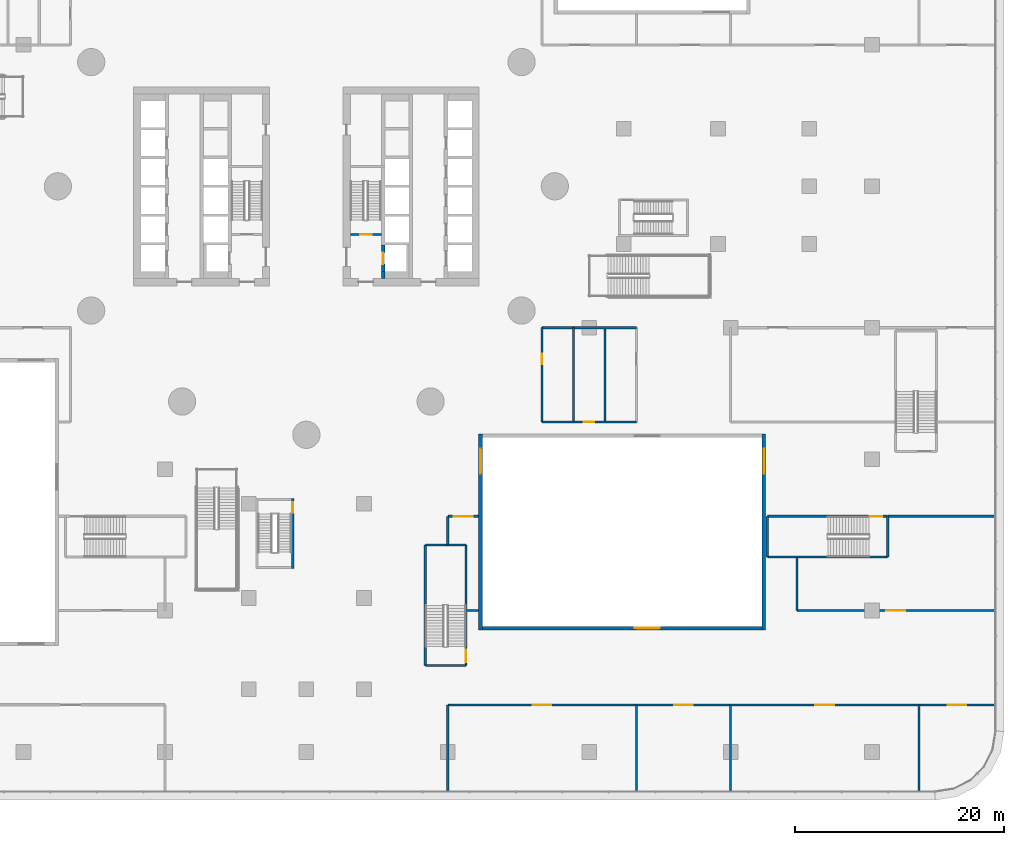
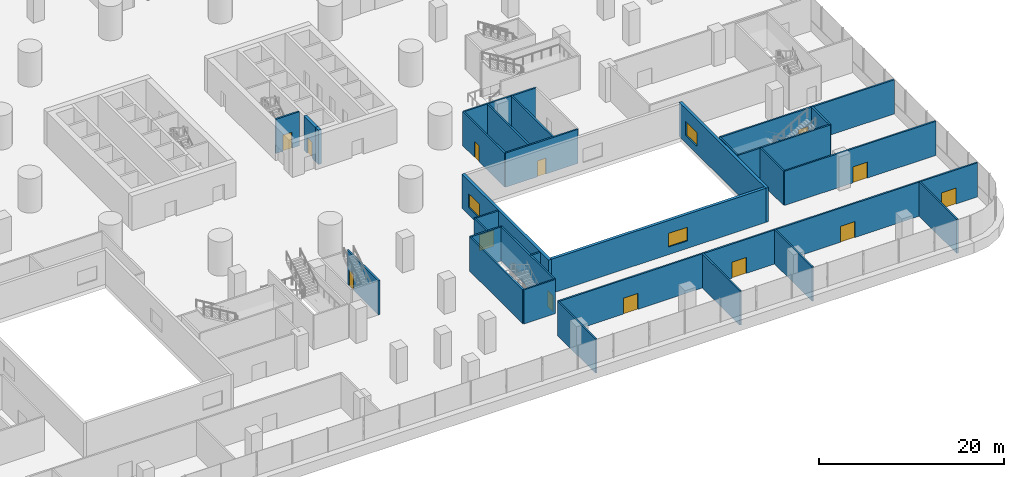
# One storey, part 26 of 44: 31 walls, 13 doors, 3 windows, 16 openings.
"""IFC4 building model written with IfcOpenShell, lengths in metres."""

from ifc_helpers import new_model, si_unit, direction, frame, frame_2d, origin, place, context, subcontext, project, spatial, rectangle, extrude, material, layer, layer_set, type_object, element, fill, save


model = new_model("IFC4")

# Units and contexts
model_context = context("Model", 3, precision=1e-05, world=origin(), true_north=direction((0.0, 1.0)))
body_context = subcontext(model_context, "Body", "Model", "MODEL_VIEW")
ifc_project = project(units=[si_unit("LENGTHUNIT", "METRE"), si_unit("AREAUNIT", "SQUARE_METRE"), si_unit("VOLUMEUNIT", "CUBIC_METRE"), si_unit("PLANEANGLEUNIT", "RADIAN"), si_unit("MASSUNIT", "GRAM", prefix="KILO")], contexts=[model_context])

# Site, building, storey
site_placement = place(None, origin())
site = spatial("IfcSite", under=ifc_project, at=site_placement, CompositionType="ELEMENT")
building_placement = place(site_placement, origin())
building = spatial("IfcBuilding", under=site, at=building_placement, Name="Tamarind Cross Interchange Tower", CompositionType="ELEMENT")
storey_placement = place(building_placement, frame((0.0, 0.0, 15.0)))
storey = spatial("IfcBuildingStorey", under=building, at=storey_placement, Name="L02", CompositionType="ELEMENT", Elevation=15.0)

# Wall
ifc_material_1 = material(Name="Concrete C80", Category="concrete")
ifc_layer_1 = layer(ifc_material_1, 0.35009765625)
ifc_layer_set_1 = layer_set([ifc_layer_1], Name="Concrete C80")
wall_type_1 = type_object("IfcWallType", Name="Core web wall 350 mm Concrete C80", PredefinedType="SHEAR", material=ifc_layer_set_1)
wall_1_placement = place(storey_placement, frame((7.324951171875, -8.800048828125, 0.0), z_axis=(0.0, 0.0, 1.0), x_axis=(0.0, 1.0, 0.0)))
element("IfcWall", 1, at=wall_1_placement, inside=storey, type_object=wall_type_1, Name="Core wall CWL-L02-E-BW", PredefinedType="SHEAR", context=body_context, shape_type="SweptSolid", body=[
    extrude(rectangle(XDim=0.675048828125, YDim=0.35009765625, at=frame_2d((0.33740234375, 0.0))), origin(), (0.0, 0.0, 1.0), 4.5),
])

# Wall, opening, door
wall_2_placement = place(storey_placement, frame((7.324951171875, -8.125, 0.0), z_axis=(0.0, 0.0, 1.0), x_axis=(0.0, 1.0, 0.0)))
wall_2 = element("IfcWall", 2, at=wall_2_placement, inside=storey, type_object=wall_type_1, Name="Core wall CWL-L02-E-FF", PredefinedType="SHEAR", context=body_context, shape_type="SweptSolid", body=[
    extrude(rectangle(XDim=2.5, YDim=0.35009765625, at=frame_2d((1.25, 0.0))), origin(), (0.0, 0.0, 1.0), 4.5),
])
opening_1_placement = place(wall_2_placement, frame((0.699951171875, 0.0, 0.0)))
opening_1 = element("IfcOpeningElement", 3, at=opening_1_placement, cuts=wall_2, Name="Opening LD19L02", PredefinedType="OPENING", context=body_context, shape_type="SweptSolid", body=[
    extrude(rectangle(XDim=1.10009765625, YDim=2.10009765625, at=frame_2d((0.550048828125, 1.050048828125))), frame((0.0, 0.18505859375, 0.0), z_axis=(0.0, -1.0, 0.0), x_axis=(1.0, 0.0, 0.0)), (0.0, 0.0, 1.0), 0.3701171875),
])
ifc_material_2 = material(Name="Stainless steel panel", Category="steel")
door_type_1 = type_object("IfcDoorType", Name="Lift landing door 1100 x 2100 E 120", OperationType="SLIDING_TO_LEFT", PredefinedType="DOOR", material=ifc_material_2)
door_1_placement = place(opening_1_placement, origin())
door_1 = element("IfcDoor", 4, at=door_1_placement, inside=storey, type_object=door_type_1, Name="L02 landing door LF19", OperationType="SLIDING_TO_LEFT", OverallHeight=2.10009765625, OverallWidth=1.10009765625, PredefinedType="DOOR", context=body_context, shape_type="SweptSolid", body=[
    extrude(rectangle(XDim=1.10009765625, YDim=2.10009765625, at=frame_2d((0.550048828125, 1.050048828125))), frame((0.0, 0.02490234375, 0.0), z_axis=(0.0, -1.0, 0.0), x_axis=(1.0, 0.0, 0.0)), (0.0, 0.0, 1.0), 0.050048828125),
])
fill(opening_1, door_1)

# Wall
ifc_material_3 = material(Name="Masonry partition, fire-rated", Category="masonry")
ifc_layer_2 = layer(ifc_material_3, 0.199951171875)
ifc_layer_set_2 = layer_set([ifc_layer_2], Name="Masonry partition, fire-rated")
wall_type_2 = type_object("IfcWallType", Name="Fire partition 200 EI 120", PredefinedType="PARTITIONING", material=ifc_layer_set_2)
wall_3_placement = place(storey_placement, frame((13.5, -57.698974609375, 0.0), z_axis=(0.0, 0.0, 1.0), x_axis=(0.0, 1.0, 0.0)))
element("IfcWall", 5, at=wall_3_placement, inside=storey, type_object=wall_type_2, Name="L02 partition 87", PredefinedType="PARTITIONING", context=body_context, shape_type="SweptSolid", body=[
    extrude(rectangle(XDim=8.198974609375, YDim=0.199951171875, at=frame_2d((4.099609375, 0.0))), origin(), (0.0, 0.0, 1.0), 4.5),
])

# Wall, openings, doors
wall_4_placement = place(storey_placement, frame((13.5, -49.5, 0.0), z_axis=(0.0, 0.0, 1.0), x_axis=(1.0, 0.0, 0.0)))
wall_4 = element("IfcWall", 6, at=wall_4_placement, inside=storey, type_object=wall_type_2, Name="L02 partition 88", PredefinedType="PARTITIONING", context=body_context, shape_type="SweptSolid", body=[
    extrude(rectangle(XDim=52.198974609375, YDim=0.199951171875, at=frame_2d((26.099609375, 0.0))), origin(), (0.0, 0.0, 1.0), 4.5),
])
opening_2_placement = place(wall_4_placement, frame((8.10009765625, 0.0, 0.0)))
opening_2 = element("IfcOpeningElement", 7, at=opening_2_placement, cuts=wall_4, Name="Opening DL02-46", PredefinedType="OPENING", context=body_context, shape_type="SweptSolid", body=[
    extrude(rectangle(XDim=1.800048828125, YDim=2.10009765625, at=frame_2d((0.89990234375, 1.050048828125))), frame((0.0, 0.10986328125, 0.0), z_axis=(0.0, -1.0, 0.0), x_axis=(1.0, 0.0, 0.0)), (0.0, 0.0, 1.0), 0.219970703125),
])
opening_3_placement = place(wall_4_placement, frame((21.60009765625, 0.0, 0.0)))
opening_3 = element("IfcOpeningElement", 8, at=opening_3_placement, cuts=wall_4, Name="Opening DL02-47", PredefinedType="OPENING", context=body_context, shape_type="SweptSolid", body=[
    extrude(rectangle(XDim=1.800048828125, YDim=2.10009765625, at=frame_2d((0.89990234375, 1.050048828125))), frame((0.0, 0.10986328125, 0.0), z_axis=(0.0, -1.0, 0.0), x_axis=(1.0, 0.0, 0.0)), (0.0, 0.0, 1.0), 0.219970703125),
])
opening_4_placement = place(wall_4_placement, frame((35.10009765625, 0.0, 0.0)))
opening_4 = element("IfcOpeningElement", 9, at=opening_4_placement, cuts=wall_4, Name="Opening DL02-48", PredefinedType="OPENING", context=body_context, shape_type="SweptSolid", body=[
    extrude(rectangle(XDim=1.800048828125, YDim=2.10009765625, at=frame_2d((0.89990234375, 1.050048828125))), frame((0.0, 0.10986328125, 0.0), z_axis=(0.0, -1.0, 0.0), x_axis=(1.0, 0.0, 0.0)), (0.0, 0.0, 1.0), 0.219970703125),
])
opening_5_placement = place(wall_4_placement, frame((47.7099609375, 0.0, 0.0)))
opening_5 = element("IfcOpeningElement", 10, at=opening_5_placement, cuts=wall_4, Name="Opening DL02-49", PredefinedType="OPENING", context=body_context, shape_type="SweptSolid", body=[
    extrude(rectangle(XDim=1.800048828125, YDim=2.10009765625, at=frame_2d((0.89990234375, 1.050048828125))), frame((0.0, 0.10986328125, 0.0), z_axis=(0.0, -1.0, 0.0), x_axis=(1.0, 0.0, 0.0)), (0.0, 0.0, 1.0), 0.219970703125),
])
ifc_material_4 = material(Name="Steel, fire-resisting", Category="steel")
door_type_2 = type_object("IfcDoorType", Name="Podium door 1800 x 2100 FD60", OperationType="SINGLE_SWING_LEFT", PredefinedType="DOOR", material=ifc_material_4)
door_2_placement = place(opening_2_placement, origin())
door_2 = element("IfcDoor", 11, at=door_2_placement, inside=storey, type_object=door_type_2, Name="L02 door Dessert Cafe 0229", OperationType="SINGLE_SWING_RIGHT", OverallHeight=2.10009765625, OverallWidth=1.800048828125, PredefinedType="DOOR", context=body_context, shape_type="SweptSolid", body=[
    extrude(rectangle(XDim=1.800048828125, YDim=2.10009765625, at=frame_2d((0.89990234375, 1.050048828125))), frame((0.0, 0.02490234375, 0.0), z_axis=(0.0, -1.0, 0.0), x_axis=(1.0, 0.0, 0.0)), (0.0, 0.0, 1.0), 0.050048828125),
])
fill(opening_2, door_2)
door_3_placement = place(opening_3_placement, origin())
door_3 = element("IfcDoor", 12, at=door_3_placement, inside=storey, type_object=door_type_2, Name="L02 door Grill Restaurant 0230", OperationType="SINGLE_SWING_LEFT", OverallHeight=2.10009765625, OverallWidth=1.800048828125, PredefinedType="DOOR", context=body_context, shape_type="SweptSolid", body=[
    extrude(rectangle(XDim=1.800048828125, YDim=2.10009765625, at=frame_2d((0.89990234375, 1.050048828125))), frame((0.0, 0.02490234375, 0.0), z_axis=(0.0, -1.0, 0.0), x_axis=(1.0, 0.0, 0.0)), (0.0, 0.0, 1.0), 0.050048828125),
])
fill(opening_3, door_3)
door_4_placement = place(opening_5_placement, origin())
door_4 = element("IfcDoor", 13, at=door_4_placement, inside=storey, type_object=door_type_2, Name="L02 door Noodle Bar 0232", OperationType="SINGLE_SWING_LEFT", OverallHeight=2.10009765625, OverallWidth=1.800048828125, PredefinedType="DOOR", context=body_context, shape_type="SweptSolid", body=[
    extrude(rectangle(XDim=1.800048828125, YDim=2.10009765625, at=frame_2d((0.89990234375, 1.050048828125))), frame((0.0, 0.02490234375, 0.0), z_axis=(0.0, -1.0, 0.0), x_axis=(1.0, 0.0, 0.0)), (0.0, 0.0, 1.0), 0.050048828125),
])
fill(opening_5, door_4)
door_type_3 = type_object("IfcDoorType", Name="Podium door 1800 x 2100 FD90", OperationType="SINGLE_SWING_LEFT", PredefinedType="DOOR", material=ifc_material_4)
door_5_placement = place(opening_4_placement, origin())
door_5 = element("IfcDoor", 14, at=door_5_placement, inside=storey, type_object=door_type_3, Name="L02 door Food Hall Kitchen 0231", OperationType="SINGLE_SWING_RIGHT", OverallHeight=2.10009765625, OverallWidth=1.800048828125, PredefinedType="DOOR", context=body_context, shape_type="SweptSolid", body=[
    extrude(rectangle(XDim=1.800048828125, YDim=2.10009765625, at=frame_2d((0.89990234375, 1.050048828125))), frame((0.0, 0.02490234375, 0.0), z_axis=(0.0, -1.0, 0.0), x_axis=(1.0, 0.0, 0.0)), (0.0, 0.0, 1.0), 0.050048828125),
])
fill(opening_4, door_5)

# Wall
wall_5_placement = place(storey_placement, frame((13.5, -34.219970703125, 0.0), z_axis=(0.0, 0.0, 1.0), x_axis=(0.0, 1.0, 0.0)))
element("IfcWall", 15, at=wall_5_placement, inside=storey, type_object=wall_type_2, Name="L02 partition 89", PredefinedType="PARTITIONING", context=body_context, shape_type="SweptSolid", body=[
    extrude(rectangle(XDim=2.719970703125, YDim=0.199951171875, at=frame_2d((1.35986328125, 0.0))), origin(), (0.0, 0.0, 1.0), 4.5),
])

# Wall, opening, door
wall_6_placement = place(storey_placement, frame((13.5, -31.5, 0.0), z_axis=(0.0, 0.0, 1.0), x_axis=(1.0, 0.0, 0.0)))
wall_6 = element("IfcWall", 16, at=wall_6_placement, inside=storey, type_object=wall_type_2, Name="L02 partition 90", PredefinedType="PARTITIONING", context=body_context, shape_type="SweptSolid", body=[
    extrude(rectangle(XDim=2.919921875, YDim=0.199951171875, at=frame_2d((1.4599609375, 0.0))), origin(), (0.0, 0.0, 1.0), 4.5),
])
opening_6_placement = place(wall_6_placement, frame((0.574951171875, 0.0, 0.0)))
opening_6 = element("IfcOpeningElement", 17, at=opening_6_placement, cuts=wall_6, Name="Opening DL02-45", PredefinedType="OPENING", context=body_context, shape_type="SweptSolid", body=[
    extrude(rectangle(XDim=1.800048828125, YDim=2.10009765625, at=frame_2d((0.89990234375, 1.050048828125))), frame((0.0, 0.10986328125, 0.0), z_axis=(0.0, -1.0, 0.0), x_axis=(1.0, 0.0, 0.0)), (0.0, 0.0, 1.0), 0.219970703125),
])
door_6_placement = place(opening_6_placement, origin())
door_6 = element("IfcDoor", 18, at=door_6_placement, inside=storey, type_object=door_type_3, Name="L02 door Food Hall Kitchen 0227", OperationType="SINGLE_SWING_LEFT", OverallHeight=2.10009765625, OverallWidth=1.800048828125, PredefinedType="DOOR", context=body_context, shape_type="SweptSolid", body=[
    extrude(rectangle(XDim=1.800048828125, YDim=2.10009765625, at=frame_2d((0.89990234375, 1.050048828125))), frame((0.0, 0.02490234375, 0.0), z_axis=(0.0, -1.0, 0.0), x_axis=(1.0, 0.0, 0.0)), (0.0, 0.0, 1.0), 0.050048828125),
])
fill(opening_6, door_6)

# Walls
wall_7_placement = place(storey_placement, frame((15.280029296875, -40.5, 0.0), z_axis=(0.0, 0.0, 1.0), x_axis=(1.0, 0.0, 0.0)))
element("IfcWall", 19, at=wall_7_placement, inside=storey, type_object=wall_type_2, Name="L02 partition 92", PredefinedType="PARTITIONING", context=body_context, shape_type="SweptSolid", body=[
    extrude(rectangle(XDim=1.139892578125, YDim=0.199951171875, at=frame_2d((0.56982421875, 0.0))), origin(), (0.0, 0.0, 1.0), 4.5),
])
for number, where, z_axis, x_axis, name in (
    (20, (31.5, -57.698974609375, 0.0), (0.0, 0.0, 1.0), (0.0, 1.0, 0.0), "L02 partition 104"),
    (21, (40.5, -57.698974609375, 0.0), (0.0, 0.0, 1.0), (0.0, 1.0, 0.0), "L02 partition 106"),
):
    element("IfcWall", number, at=place(storey_placement, frame(where, z_axis=z_axis, x_axis=x_axis)), inside=storey, type_object=wall_type_2, Name=name, PredefinedType="PARTITIONING", context=body_context, shape_type="SweptSolid", body=[
        extrude(rectangle(XDim=8.198974609375, YDim=0.199951171875, at=frame_2d((4.099609375, 0.0))), origin(), (0.0, 0.0, 1.0), 4.5),
    ])

# Wall, opening, door
wall_8_placement = place(storey_placement, frame((46.85009765625, -40.5, 0.0), z_axis=(0.0, 0.0, 1.0), x_axis=(1.0, 0.0, 0.0)))
wall_8 = element("IfcWall", 22, at=wall_8_placement, inside=storey, type_object=wall_type_2, Name="L02 partition 110", PredefinedType="PARTITIONING", context=body_context, shape_type="SweptSolid", body=[
    extrude(rectangle(XDim=18.848876953125, YDim=0.199951171875, at=frame_2d((9.42431640625, 0.0))), origin(), (0.0, 0.0, 1.0), 4.5),
])
opening_7_placement = place(wall_8_placement, frame((8.52490234375, 0.0, 0.0)))
opening_7 = element("IfcOpeningElement", 23, at=opening_7_placement, cuts=wall_8, Name="Opening DL02-50", PredefinedType="OPENING", context=body_context, shape_type="SweptSolid", body=[
    extrude(rectangle(XDim=1.800048828125, YDim=2.10009765625, at=frame_2d((0.89990234375, 1.050048828125))), frame((0.0, 0.10986328125, 0.0), z_axis=(0.0, -1.0, 0.0), x_axis=(1.0, 0.0, 0.0)), (0.0, 0.0, 1.0), 0.219970703125),
])
door_7_placement = place(opening_7_placement, origin())
door_7 = element("IfcDoor", 24, at=door_7_placement, inside=storey, type_object=door_type_2, Name="L02 door Dessert Cafe 0228", OperationType="SINGLE_SWING_RIGHT", OverallHeight=2.10009765625, OverallWidth=1.800048828125, PredefinedType="DOOR", context=body_context, shape_type="SweptSolid", body=[
    extrude(rectangle(XDim=1.800048828125, YDim=2.10009765625, at=frame_2d((0.89990234375, 1.050048828125))), frame((0.0, 0.02490234375, 0.0), z_axis=(0.0, -1.0, 0.0), x_axis=(1.0, 0.0, 0.0)), (0.0, 0.0, 1.0), 0.050048828125),
])
fill(opening_7, door_7)

# Walls
wall_9_placement = place(storey_placement, frame((46.85009765625, -40.5, 0.0), z_axis=(0.0, 0.0, 1.0), x_axis=(0.0, 1.0, 0.0)))
element("IfcWall", 25, at=wall_9_placement, inside=storey, type_object=wall_type_2, Name="L02 partition 111", PredefinedType="PARTITIONING", context=body_context, shape_type="SweptSolid", body=[
    extrude(rectangle(XDim=5.070068359375, YDim=0.199951171875, at=frame_2d((2.53515625, 0.0))), origin(), (0.0, 0.0, 1.0), 4.5),
])
wall_10_placement = place(storey_placement, frame((55.530029296875, -31.5, 0.0), z_axis=(0.0, 0.0, 1.0), x_axis=(1.0, 0.0, 0.0)))
element("IfcWall", 26, at=wall_10_placement, inside=storey, type_object=wall_type_2, Name="L02 partition 112", PredefinedType="PARTITIONING", context=body_context, shape_type="SweptSolid", body=[
    extrude(rectangle(XDim=10.1689453125, YDim=0.199951171875, at=frame_2d((5.08447265625, 0.0))), origin(), (0.0, 0.0, 1.0), 4.5),
])
wall_11_placement = place(storey_placement, frame((58.5, -57.698974609375, 0.0), z_axis=(0.0, 0.0, 1.0), x_axis=(0.0, 1.0, 0.0)))
element("IfcWall", 27, at=wall_11_placement, inside=storey, type_object=wall_type_2, Name="L02 partition 116", PredefinedType="PARTITIONING", context=body_context, shape_type="SweptSolid", body=[
    extrude(rectangle(XDim=8.198974609375, YDim=0.199951171875, at=frame_2d((4.099609375, 0.0))), origin(), (0.0, 0.0, 1.0), 4.5),
])

# Wall, opening, door
ifc_layer_3 = layer(ifc_material_3, 0.199951171875)
ifc_layer_set_3 = layer_set([ifc_layer_3], Name="Masonry partition, fire-rated")
wall_type_3 = type_object("IfcWallType", Name="Fire partition 200 EI 90", PredefinedType="PARTITIONING", material=ifc_layer_set_3)
wall_12_placement = place(storey_placement, frame((22.5, -22.5, 0.0), z_axis=(0.0, 0.0, 1.0), x_axis=(1.0, 0.0, 0.0)))
wall_12 = element("IfcWall", 28, at=wall_12_placement, inside=storey, type_object=wall_type_3, Name="L02 partition 98", PredefinedType="PARTITIONING", context=body_context, shape_type="SweptSolid", body=[
    extrude(rectangle(XDim=9.0, YDim=0.199951171875, at=frame_2d((4.5, 0.0))), origin(), (0.0, 0.0, 1.0), 4.5),
])
opening_8_placement = place(wall_12_placement, frame((3.989990234375, 0.0, 0.0)))
opening_8 = element("IfcOpeningElement", 29, at=opening_8_placement, cuts=wall_12, Name="Opening DL02-41", PredefinedType="OPENING", context=body_context, shape_type="SweptSolid", body=[
    extrude(rectangle(XDim=1.0, YDim=2.10009765625, at=frame_2d((0.5, 1.050048828125))), frame((0.0, 0.10986328125, 0.0), z_axis=(0.0, -1.0, 0.0), x_axis=(1.0, 0.0, 0.0)), (0.0, 0.0, 1.0), 0.219970703125),
])
door_type_4 = type_object("IfcDoorType", Name="Podium door 1000 x 2100 FD60", OperationType="SINGLE_SWING_LEFT", PredefinedType="DOOR", material=ifc_material_4)
door_8_placement = place(opening_8_placement, origin())
door_8 = element("IfcDoor", 30, at=door_8_placement, inside=storey, type_object=door_type_4, Name="L02 door Men's Toilets L02SE", OperationType="SINGLE_SWING_LEFT", OverallHeight=2.10009765625, OverallWidth=1.0, PredefinedType="DOOR", context=body_context, shape_type="SweptSolid", body=[
    extrude(rectangle(XDim=1.0, YDim=2.10009765625, at=frame_2d((0.5, 1.050048828125))), frame((0.0, 0.02490234375, 0.0), z_axis=(0.0, -1.0, 0.0), x_axis=(1.0, 0.0, 0.0)), (0.0, 0.0, 1.0), 0.050048828125),
])
fill(opening_8, door_8)

# Wall
wall_13_placement = place(storey_placement, frame((25.5, -22.5, 0.0), z_axis=(0.0, 0.0, 1.0), x_axis=(0.0, 1.0, 0.0)))
element("IfcWall", 31, at=wall_13_placement, inside=storey, type_object=wall_type_3, Name="L02 partition 99", PredefinedType="PARTITIONING", context=body_context, shape_type="SweptSolid", body=[
    extrude(rectangle(XDim=9.0, YDim=0.199951171875, at=frame_2d((4.5, 0.0))), origin(), (0.0, 0.0, 1.0), 4.5),
])

# Wall, opening, door
wall_14_placement = place(storey_placement, frame((22.5, -22.5, 0.0), z_axis=(0.0, 0.0, 1.0), x_axis=(0.0, 1.0, 0.0)))
wall_14 = element("IfcWall", 32, at=wall_14_placement, inside=storey, type_object=wall_type_3, Name="L02 partition 100", PredefinedType="PARTITIONING", context=body_context, shape_type="SweptSolid", body=[
    extrude(rectangle(XDim=9.0, YDim=0.199951171875, at=frame_2d((4.5, 0.0))), origin(), (0.0, 0.0, 1.0), 4.5),
])
opening_9_placement = place(wall_14_placement, frame((5.5, 0.0, 0.0)))
opening_9 = element("IfcOpeningElement", 33, at=opening_9_placement, cuts=wall_14, Name="Opening DL02-40", PredefinedType="OPENING", context=body_context, shape_type="SweptSolid", body=[
    extrude(rectangle(XDim=1.0, YDim=2.10009765625, at=frame_2d((0.5, 1.050048828125))), frame((0.0, 0.10986328125, 0.0), z_axis=(0.0, -1.0, 0.0), x_axis=(1.0, 0.0, 0.0)), (0.0, 0.0, 1.0), 0.219970703125),
])
door_9_placement = place(opening_9_placement, origin())
door_9 = element("IfcDoor", 34, at=door_9_placement, inside=storey, type_object=door_type_4, Name="L02 door Women's Toilets L02SE", OperationType="SINGLE_SWING_RIGHT", OverallHeight=2.10009765625, OverallWidth=1.0, PredefinedType="DOOR", context=body_context, shape_type="SweptSolid", body=[
    extrude(rectangle(XDim=1.0, YDim=2.10009765625, at=frame_2d((0.5, 1.050048828125))), frame((0.0, 0.02490234375, 0.0), z_axis=(0.0, -1.0, 0.0), x_axis=(1.0, 0.0, 0.0)), (0.0, 0.0, 1.0), 0.050048828125),
])
fill(opening_9, door_9)

# Walls
for number, where, z_axis, x_axis, name in (
    (35, (22.5, -13.5, 0.0), (0.0, 0.0, 1.0), (1.0, 0.0, 0.0), "L02 partition 101"),
    (36, (28.5, -22.5, 0.0), (0.0, 0.0, 1.0), (0.0, 1.0, 0.0), "L02 partition 103"),
):
    element("IfcWall", number, at=place(storey_placement, frame(where, z_axis=z_axis, x_axis=x_axis)), inside=storey, type_object=wall_type_3, Name=name, PredefinedType="PARTITIONING", context=body_context, shape_type="SweptSolid", body=[
        extrude(rectangle(XDim=9.0, YDim=0.199951171875, at=frame_2d((4.5, 0.0))), origin(), (0.0, 0.0, 1.0), 4.5),
    ])

# Wall, opening, window
ifc_material_5 = material(Name="Precast concrete C40", Category="concrete")
ifc_layer_4 = layer(ifc_material_5, 0.35009765625)
ifc_layer_set_4 = layer_set([ifc_layer_4], Name="Precast concrete C40")
wall_type_4 = type_object("IfcWallType", Name="Podium facade wall", PredefinedType="SOLIDWALL", material=ifc_layer_set_4)
wall_15_placement = place(storey_placement, frame((16.800048828125, -42.175048828125, 0.0), z_axis=(0.0, 0.0, 1.0), x_axis=(1.0, 0.0, 0.0)))
wall_15 = element("IfcWall", 37, at=wall_15_placement, inside=storey, type_object=wall_type_4, Name="CTW-L02-SES00", PredefinedType="SOLIDWALL", context=body_context, shape_type="SweptSolid", body=[
    extrude(rectangle(XDim=26.699951171875, YDim=0.35009765625, at=frame_2d((13.35009765625, 0.0))), origin(), (0.0, 0.0, 1.0), 4.5),
])
opening_10_placement = place(wall_15_placement, frame((14.550048828125, 0.0, 1.0)))
opening_10 = element("IfcOpeningElement", 38, at=opening_10_placement, cuts=wall_15, Name="Opening W4", PredefinedType="OPENING", context=body_context, shape_type="SweptSolid", body=[
    extrude(rectangle(XDim=2.39990234375, YDim=1.800048828125, at=frame_2d((1.199951171875, 0.89990234375))), frame((0.0, 0.18505859375, 0.0), z_axis=(0.0, -1.0, 0.0), x_axis=(1.0, 0.0, 0.0)), (0.0, 0.0, 1.0), 0.3701171875),
])
ifc_material_6 = material(Name="Aluminium and toughened glass", Category="aluminium")
window_type = type_object("IfcWindowType", Name="Podium daylight window", PartitioningType="SINGLE_PANEL", PredefinedType="WINDOW", material=ifc_material_6)
window_1_placement = place(opening_10_placement, origin())
window_1 = element("IfcWindow", 39, at=window_1_placement, inside=storey, type_object=window_type, Name="CTX-L02-SES-01-00", OverallHeight=1.800048828125, OverallWidth=2.39990234375, PartitioningType="SINGLE_PANEL", PredefinedType="WINDOW", context=body_context, shape_type="SweptSolid", body=[
    extrude(rectangle(XDim=2.39990234375, YDim=1.800048828125, at=frame_2d((1.199951171875, 0.89990234375))), frame((0.0, 0.030029296875, 0.0), z_axis=(0.0, -1.0, 0.0), x_axis=(1.0, 0.0, 0.0)), (0.0, 0.0, 1.0), 0.06005859375),
])
fill(opening_10, window_1)

wall_16_placement = place(storey_placement, frame((16.625, -42.35009765625, 0.0), z_axis=(0.0, 0.0, 1.0), x_axis=(0.0, 1.0, 0.0)))
wall_16 = element("IfcWall", 40, at=wall_16_placement, inside=storey, type_object=wall_type_4, Name="CTW-L02-SEW00", PredefinedType="SOLIDWALL", context=body_context, shape_type="SweptSolid", body=[
    extrude(rectangle(XDim=18.7001953125, YDim=0.35009765625, at=frame_2d((9.35009765625, 0.0))), origin(), (0.0, 0.0, 1.0), 4.5),
])
opening_11_placement = place(wall_16_placement, frame((14.89990234375, 0.0, 1.0)))
opening_11 = element("IfcOpeningElement", 41, at=opening_11_placement, cuts=wall_16, Name="Opening W4", PredefinedType="OPENING", context=body_context, shape_type="SweptSolid", body=[
    extrude(rectangle(XDim=2.39990234375, YDim=1.800048828125, at=frame_2d((1.199951171875, 0.89990234375))), frame((0.0, 0.18505859375, 0.0), z_axis=(0.0, -1.0, 0.0), x_axis=(1.0, 0.0, 0.0)), (0.0, 0.0, 1.0), 0.3701171875),
])
window_2_placement = place(opening_11_placement, origin())
window_2 = element("IfcWindow", 42, at=window_2_placement, inside=storey, type_object=window_type, Name="CTX-L02-SEW-01-00", OverallHeight=1.800048828125, OverallWidth=2.39990234375, PartitioningType="SINGLE_PANEL", PredefinedType="WINDOW", context=body_context, shape_type="SweptSolid", body=[
    extrude(rectangle(XDim=2.39990234375, YDim=1.800048828125, at=frame_2d((1.199951171875, 0.89990234375))), frame((0.0, 0.030029296875, 0.0), z_axis=(0.0, -1.0, 0.0), x_axis=(1.0, 0.0, 0.0)), (0.0, 0.0, 1.0), 0.06005859375),
])
fill(opening_11, window_2)

wall_17_placement = place(storey_placement, frame((43.675048828125, -42.35009765625, 0.0), z_axis=(0.0, 0.0, 1.0), x_axis=(0.0, 1.0, 0.0)))
wall_17 = element("IfcWall", 43, at=wall_17_placement, inside=storey, type_object=wall_type_4, Name="CTW-L02-SEE00", PredefinedType="SOLIDWALL", context=body_context, shape_type="SweptSolid", body=[
    extrude(rectangle(XDim=18.7001953125, YDim=0.35009765625, at=frame_2d((9.35009765625, 0.0))), origin(), (0.0, 0.0, 1.0), 4.5),
])
opening_12_placement = place(wall_17_placement, frame((14.89990234375, 0.0, 1.0)))
opening_12 = element("IfcOpeningElement", 44, at=opening_12_placement, cuts=wall_17, Name="Opening W4", PredefinedType="OPENING", context=body_context, shape_type="SweptSolid", body=[
    extrude(rectangle(XDim=2.39990234375, YDim=1.800048828125, at=frame_2d((1.199951171875, 0.89990234375))), frame((0.0, 0.18505859375, 0.0), z_axis=(0.0, -1.0, 0.0), x_axis=(1.0, 0.0, 0.0)), (0.0, 0.0, 1.0), 0.3701171875),
])
window_3_placement = place(opening_12_placement, origin())
window_3 = element("IfcWindow", 45, at=window_3_placement, inside=storey, type_object=window_type, Name="CTX-L02-SEE-01-00", OverallHeight=1.800048828125, OverallWidth=2.39990234375, PartitioningType="SINGLE_PANEL", PredefinedType="WINDOW", context=body_context, shape_type="SweptSolid", body=[
    extrude(rectangle(XDim=2.39990234375, YDim=1.800048828125, at=frame_2d((1.199951171875, 0.89990234375))), frame((0.0, 0.030029296875, 0.0), z_axis=(0.0, -1.0, 0.0), x_axis=(1.0, 0.0, 0.0)), (0.0, 0.0, 1.0), 0.06005859375),
])
fill(opening_12, window_3)

# Walls
ifc_material_7 = material(Name="Concrete C40", Category="concrete")
ifc_layer_5 = layer(ifc_material_7, 0.199951171875)
ifc_layer_set_5 = layer_set([ifc_layer_5], Name="Concrete C40")
wall_type_5 = type_object("IfcWallType", Name="Stair shaft wall 200 EI 180", PredefinedType="PARTITIONING", material=ifc_layer_set_5)
wall_18_placement = place(storey_placement, frame((11.35009765625, -45.75, 0.0), z_axis=(0.0, 0.0, 1.0), x_axis=(0.0, 1.0, 0.0)))
element("IfcWall", 46, at=wall_18_placement, inside=storey, type_object=wall_type_5, Name="L02 stair shaft wall 25", PredefinedType="PARTITIONING", context=body_context, shape_type="SweptSolid", body=[
    extrude(rectangle(XDim=11.5, YDim=0.199951171875, at=frame_2d((5.75, 0.0))), origin(), (0.0, 0.0, 1.0), 4.5),
])
wall_19_placement = place(storey_placement, frame((11.35009765625, -34.25, 0.0), z_axis=(0.0, 0.0, 1.0), x_axis=(1.0, 0.0, 0.0)))
element("IfcWall", 47, at=wall_19_placement, inside=storey, type_object=wall_type_5, Name="L02 stair shaft wall 26", PredefinedType="PARTITIONING", context=body_context, shape_type="SweptSolid", body=[
    extrude(rectangle(XDim=3.89990234375, YDim=0.199951171875, at=frame_2d((1.949951171875, 0.0))), origin(), (0.0, 0.0, 1.0), 4.5),
])

# Wall, opening, door
wall_20_placement = place(storey_placement, frame((15.25, -45.75, 0.0), z_axis=(0.0, 0.0, 1.0), x_axis=(0.0, 1.0, 0.0)))
wall_20 = element("IfcWall", 48, at=wall_20_placement, inside=storey, type_object=wall_type_5, Name="L02 stair shaft wall 27", PredefinedType="PARTITIONING", context=body_context, shape_type="SweptSolid", body=[
    extrude(rectangle(XDim=11.5, YDim=0.199951171875, at=frame_2d((5.75, 0.0))), origin(), (0.0, 0.0, 1.0), 4.5),
])
opening_13_placement = place(wall_20_placement, frame((0.325927734375, 0.0, 0.0)))
opening_13 = element("IfcOpeningElement", 49, at=opening_13_placement, cuts=wall_20, Name="Opening DL02-12", PredefinedType="OPENING", context=body_context, shape_type="SweptSolid", body=[
    extrude(rectangle(XDim=1.199951171875, YDim=2.10009765625, at=frame_2d((0.60009765625, 1.050048828125))), frame((0.0, 0.10986328125, 0.0), z_axis=(0.0, -1.0, 0.0), x_axis=(1.0, 0.0, 0.0)), (0.0, 0.0, 1.0), 0.219970703125),
])
door_type_5 = type_object("IfcDoorType", Name="Podium door 1200 x 2100 FD90", OperationType="SINGLE_SWING_LEFT", PredefinedType="DOOR", material=ifc_material_4)
door_10_placement = place(opening_13_placement, origin())
door_10 = element("IfcDoor", 50, at=door_10_placement, inside=storey, type_object=door_type_5, Name="L02 door Exit Stair PX12", OperationType="SINGLE_SWING_RIGHT", OverallHeight=2.10009765625, OverallWidth=1.199951171875, PredefinedType="DOOR", context=body_context, shape_type="SweptSolid", body=[
    extrude(rectangle(XDim=1.199951171875, YDim=2.10009765625, at=frame_2d((0.60009765625, 1.050048828125))), frame((0.0, 0.02490234375, 0.0), z_axis=(0.0, -1.0, 0.0), x_axis=(1.0, 0.0, 0.0)), (0.0, 0.0, 1.0), 0.050048828125),
])
fill(opening_13, door_10)

# Walls
wall_21_placement = place(storey_placement, frame((11.35009765625, -45.75, 0.0), z_axis=(0.0, 0.0, 1.0), x_axis=(1.0, 0.0, 0.0)))
element("IfcWall", 51, at=wall_21_placement, inside=storey, type_object=wall_type_5, Name="L02 stair shaft wall 28", PredefinedType="PARTITIONING", context=body_context, shape_type="SweptSolid", body=[
    extrude(rectangle(XDim=3.89990234375, YDim=0.199951171875, at=frame_2d((1.949951171875, 0.0))), origin(), (0.0, 0.0, 1.0), 4.5),
])
wall_22_placement = place(storey_placement, frame((44.0, -35.39990234375, 0.0), z_axis=(0.0, 0.0, 1.0), x_axis=(1.0, 0.0, 0.0)))
element("IfcWall", 52, at=wall_22_placement, inside=storey, type_object=wall_type_5, Name="L02 stair shaft wall 33", PredefinedType="PARTITIONING", context=body_context, shape_type="SweptSolid", body=[
    extrude(rectangle(XDim=11.5, YDim=0.199951171875, at=frame_2d((5.75, 0.0))), origin(), (0.0, 0.0, 1.0), 4.5),
])
wall_23_placement = place(storey_placement, frame((44.0, -35.39990234375, 0.0), z_axis=(0.0, 0.0, 1.0), x_axis=(0.0, 1.0, 0.0)))
element("IfcWall", 53, at=wall_23_placement, inside=storey, type_object=wall_type_5, Name="L02 stair shaft wall 34", PredefinedType="PARTITIONING", context=body_context, shape_type="SweptSolid", body=[
    extrude(rectangle(XDim=3.89990234375, YDim=0.199951171875, at=frame_2d((1.949951171875, 0.0))), origin(), (0.0, 0.0, 1.0), 4.5),
])

# Wall, opening, door
wall_24_placement = place(storey_placement, frame((44.0, -31.5, 0.0), z_axis=(0.0, 0.0, 1.0), x_axis=(1.0, 0.0, 0.0)))
wall_24 = element("IfcWall", 54, at=wall_24_placement, inside=storey, type_object=wall_type_5, Name="L02 stair shaft wall 35", PredefinedType="PARTITIONING", context=body_context, shape_type="SweptSolid", body=[
    extrude(rectangle(XDim=11.5, YDim=0.199951171875, at=frame_2d((5.75, 0.0))), origin(), (0.0, 0.0, 1.0), 4.5),
])
opening_14_placement = place(wall_24_placement, frame((9.785888671875, 0.0, 0.0)))
opening_14 = element("IfcOpeningElement", 55, at=opening_14_placement, cuts=wall_24, Name="Opening DL02-10", PredefinedType="OPENING", context=body_context, shape_type="SweptSolid", body=[
    extrude(rectangle(XDim=1.199951171875, YDim=2.10009765625, at=frame_2d((0.60009765625, 1.050048828125))), frame((0.0, 0.10986328125, 0.0), z_axis=(0.0, -1.0, 0.0), x_axis=(1.0, 0.0, 0.0)), (0.0, 0.0, 1.0), 0.219970703125),
])
door_11_placement = place(opening_14_placement, origin())
door_11 = element("IfcDoor", 56, at=door_11_placement, inside=storey, type_object=door_type_5, Name="L02 door Exit Stair PX10", OperationType="SINGLE_SWING_RIGHT", OverallHeight=2.10009765625, OverallWidth=1.199951171875, PredefinedType="DOOR", context=body_context, shape_type="SweptSolid", body=[
    extrude(rectangle(XDim=1.199951171875, YDim=2.10009765625, at=frame_2d((0.60009765625, 1.050048828125))), frame((0.0, 0.02490234375, 0.0), z_axis=(0.0, -1.0, 0.0), x_axis=(1.0, 0.0, 0.0)), (0.0, 0.0, 1.0), 0.050048828125),
])
fill(opening_14, door_11)

# Wall
wall_25_placement = place(storey_placement, frame((55.5, -35.39990234375, 0.0), z_axis=(0.0, 0.0, 1.0), x_axis=(0.0, 1.0, 0.0)))
element("IfcWall", 57, at=wall_25_placement, inside=storey, type_object=wall_type_5, Name="L02 stair shaft wall 36", PredefinedType="PARTITIONING", context=body_context, shape_type="SweptSolid", body=[
    extrude(rectangle(XDim=3.89990234375, YDim=0.199951171875, at=frame_2d((1.949951171875, 0.0))), origin(), (0.0, 0.0, 1.0), 4.5),
])

# Wall, opening, door
ifc_layer_6 = layer(ifc_material_7, 0.199951171875)
ifc_layer_set_6 = layer_set([ifc_layer_6], Name="Concrete C40")
wall_type_6 = type_object("IfcWallType", Name="Stair shaft wall 200 mm Concrete C40", PredefinedType="SHEAR", material=ifc_layer_set_6)
wall_26_placement = place(storey_placement, frame((7.14990234375, -4.60009765625, 0.0), z_axis=(0.0, 0.0, 1.0), x_axis=(-1.0, 0.0, 0.0)))
wall_26 = element("IfcWall", 58, at=wall_26_placement, inside=storey, type_object=wall_type_6, Name="Core wall CWL-L02-E-SD", PredefinedType="SHEAR", context=body_context, shape_type="SweptSolid", body=[
    extrude(rectangle(XDim=2.949951171875, YDim=0.199951171875, at=frame_2d((1.47509765625, 0.0))), origin(), (0.0, 0.0, 1.0), 4.5),
])
opening_15_placement = place(wall_26_placement, frame((0.925048828125, 0.0, 0.0)))
opening_15 = element("IfcOpeningElement", 59, at=opening_15_placement, cuts=wall_26, Name="Opening DCE6", PredefinedType="OPENING", context=body_context, shape_type="SweptSolid", body=[
    extrude(rectangle(XDim=1.10009765625, YDim=2.10009765625, at=frame_2d((0.550048828125, 1.050048828125))), frame((0.0, 0.10986328125, 0.0), z_axis=(0.0, -1.0, 0.0), x_axis=(1.0, 0.0, 0.0)), (0.0, 0.0, 1.0), 0.219970703125),
])
door_type_6 = type_object("IfcDoorType", Name="Core fire door 1100 x 2100 FD90", OperationType="SINGLE_SWING_LEFT", PredefinedType="DOOR", material=ifc_material_4)
door_12_placement = place(opening_15_placement, origin())
door_12 = element("IfcDoor", 60, at=door_12_placement, inside=storey, type_object=door_type_6, Name="L02 stair door", OperationType="SINGLE_SWING_LEFT", OverallHeight=2.10009765625, OverallWidth=1.10009765625, PredefinedType="DOOR", context=body_context, shape_type="SweptSolid", body=[
    extrude(rectangle(XDim=1.10009765625, YDim=2.10009765625, at=frame_2d((0.550048828125, 1.050048828125))), frame((0.0, 0.02490234375, 0.0), z_axis=(0.0, -1.0, 0.0), x_axis=(1.0, 0.0, 0.0)), (0.0, 0.0, 1.0), 0.050048828125),
])
fill(opening_15, door_12)

wall_27_placement = place(storey_placement, frame((-1.300048828125, -29.800048828125, 0.0), z_axis=(0.0, 0.0, 1.0), x_axis=(0.0, -1.0, 0.0)))
wall_27 = element("IfcWall", 61, at=wall_27_placement, inside=storey, type_object=wall_type_6, Name="Core wall CWL-L02-ST6-H", PredefinedType="SHEAR", context=body_context, shape_type="SweptSolid", body=[
    extrude(rectangle(XDim=6.699951171875, YDim=0.199951171875, at=frame_2d((3.35009765625, 0.0))), origin(), (0.0, 0.0, 1.0), 4.5),
])
opening_16_placement = place(wall_27_placement, frame((0.35009765625, 0.0, 0.0)))
opening_16 = element("IfcOpeningElement", 62, at=opening_16_placement, cuts=wall_27, Name="Opening ST6L02", PredefinedType="OPENING", context=body_context, shape_type="SweptSolid", body=[
    extrude(rectangle(XDim=1.0, YDim=2.10009765625, at=frame_2d((0.5, 1.050048828125))), frame((0.0, 0.10986328125, 0.0), z_axis=(0.0, -1.0, 0.0), x_axis=(1.0, 0.0, 0.0)), (0.0, 0.0, 1.0), 0.219970703125),
])
door_type_7 = type_object("IfcDoorType", Name="Core fire door 1000 x 2100 FD90", OperationType="SINGLE_SWING_LEFT", PredefinedType="DOOR", material=ifc_material_4)
door_13_placement = place(opening_16_placement, origin())
door_13 = element("IfcDoor", 63, at=door_13_placement, inside=storey, type_object=door_type_7, Name="L02 stair door ST6", OperationType="SINGLE_SWING_LEFT", OverallHeight=2.10009765625, OverallWidth=1.0, PredefinedType="DOOR", context=body_context, shape_type="SweptSolid", body=[
    extrude(rectangle(XDim=1.0, YDim=2.10009765625, at=frame_2d((0.5, 1.050048828125))), frame((0.0, 0.02490234375, 0.0), z_axis=(0.0, -1.0, 0.0), x_axis=(1.0, 0.0, 0.0)), (0.0, 0.0, 1.0), 0.050048828125),
])
fill(opening_16, door_13)

save(model, "model.ifc")
